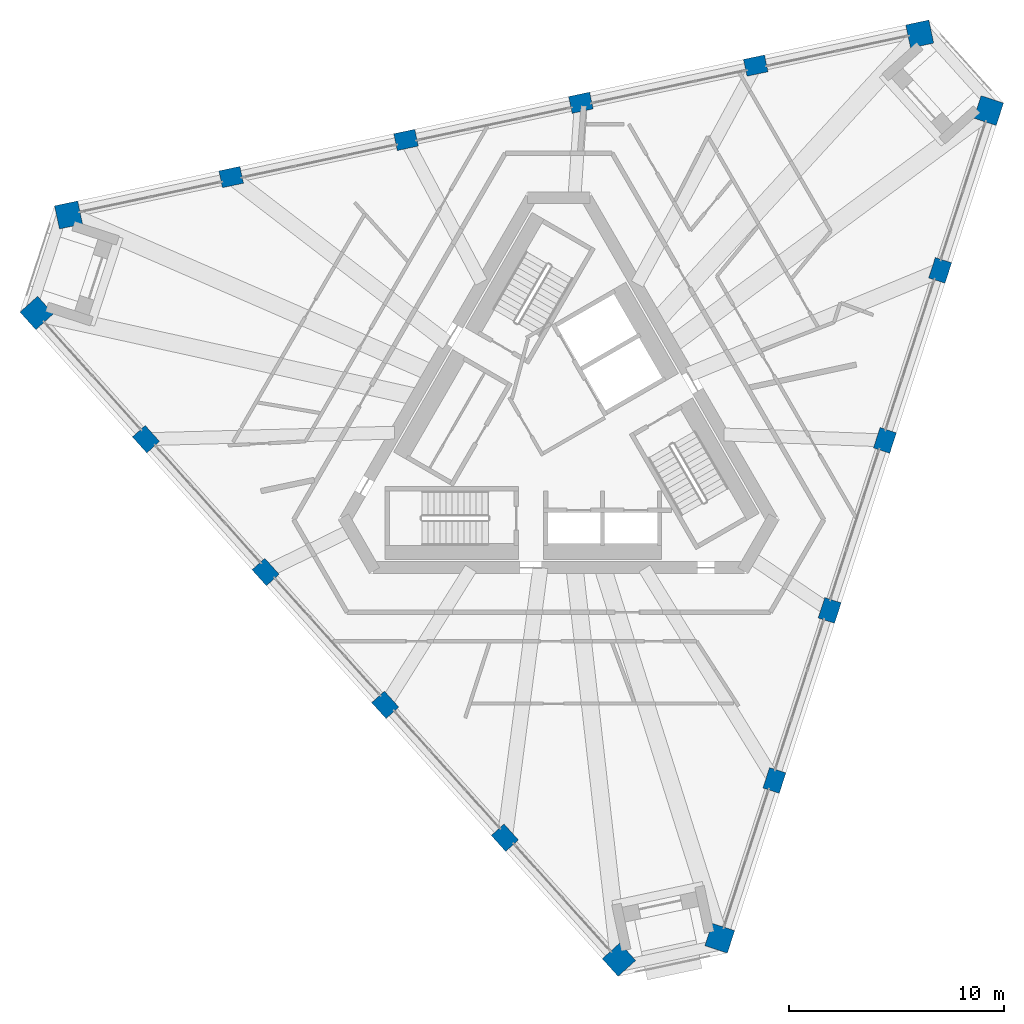
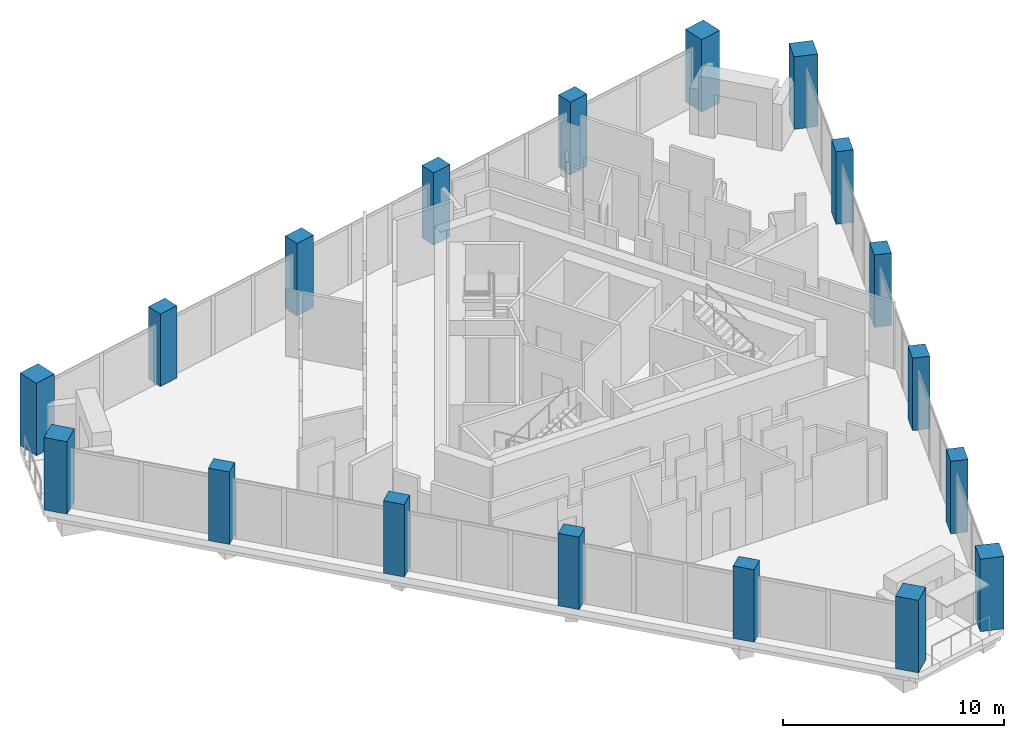
# One storey, part 1 of 17: 18 columns.
"""IFC4 building model written with IfcOpenShell, lengths in metres."""

from ifc_helpers import new_model, si_unit, direction, frame, origin, origin_2d, place, context, subcontext, project, spatial, rectangle, extrude, material, material_profile, profile_set, type_object, element, save


model = new_model("IFC4")

# Units and contexts
model_context = context("Model", 3, precision=1e-05, world=origin(), true_north=direction((0.0, 1.0)))
body_context = subcontext(model_context, "Body", "Model", "MODEL_VIEW")
ifc_project = project(units=[si_unit("LENGTHUNIT", "METRE"), si_unit("AREAUNIT", "SQUARE_METRE"), si_unit("VOLUMEUNIT", "CUBIC_METRE"), si_unit("PLANEANGLEUNIT", "RADIAN"), si_unit("MASSUNIT", "GRAM", prefix="KILO")], contexts=[model_context])

# Site, building, storey
site_placement = place(None, origin())
site = spatial("IfcSite", under=ifc_project, at=site_placement, CompositionType="ELEMENT")
building_placement = place(site_placement, origin())
building = spatial("IfcBuilding", under=site, at=building_placement, Name="Tramontana Tower", CompositionType="ELEMENT")
storey_placement = place(building_placement, frame((0.0, 0.0, 348.39990234375)))
storey = spatial("IfcBuildingStorey", under=building, at=storey_placement, Name="L80", CompositionType="ELEMENT", Elevation=348.39990234375)

# Columns
ifc_material_1 = material(Name="Concrete 55 MPa", Category="concrete")
ifc_material_profile_1 = material_profile(ifc_material_1, rectangle(XDim=1.10009765625, YDim=1.10009765625, at=origin_2d()), Name="Mega column 1100X1100 55 MPa")
ifc_profile_set_1 = profile_set([ifc_material_profile_1], Name="Concrete 55 MPa")
column_type_1 = type_object("IfcColumnType", Name="Mega column 1100X1100 55 MPa", PredefinedType="COLUMN", material=ifc_profile_set_1)
for number, where, z_axis, x_axis, name in (
    (1, (-24.278076171875, 5.368408203125, 0.0), (0.0, 0.0, 1.0), (0.669130606359, -0.743144825477, 0.0), "Mega column C8K1 L80"),
    (2, (2.80126953125, -24.706298828125, 0.0), (0.0, 0.0, 1.0), (0.669130606359, -0.743144825477, 0.0), "Mega column C8K2 L80"),
    (3, (7.489990234375, -23.70947265625, 0.0), (0.0, 0.0, 1.0), (0.309016994375, 0.951056516295, 0.0), "Mega column C8K3 L80"),
    (4, (19.99560546875, 14.779052734375, 0.0), (0.0, 0.0, 1.0), (0.309016994375, 0.951056516295, 0.0), "Mega column C8K4 L80"),
    (5, (16.7880859375, 18.34130859375, 0.0), (0.0, 0.0, 1.0), (-0.978147600734, -0.207911690818, 0.0), "Mega column C8K5 L80"),
    (6, (-22.796875, 9.92724609375, 0.0), (0.0, 0.0, 1.0), (-0.978147600734, -0.207911690818, 0.0), "Mega column C8K6 L80"),
):
    element("IfcColumn", number, at=place(storey_placement, frame(where, z_axis=z_axis, x_axis=x_axis)), inside=storey, type_object=column_type_1, Name=name, PredefinedType="COLUMN", context=body_context, shape_type="SweptSolid", body=[
        extrude(rectangle(XDim=1.10009765625, YDim=1.10009765625, at=origin_2d()), origin(), (0.0, 0.0, 1.0), 4.0),
    ])
ifc_material_2 = material(Name="Concrete 55 MPa", Category="concrete")
ifc_material_profile_2 = material_profile(ifc_material_2, rectangle(XDim=1.0, YDim=0.800048828125, at=origin_2d()), Name="Pier column 1000X800 55 MPa")
ifc_profile_set_2 = profile_set([ifc_material_profile_2], Name="Concrete 55 MPa")
column_type_2 = type_object("IfcColumnType", Name="Pier column 1000X800 55 MPa", PredefinedType="COLUMN", material=ifc_profile_set_2)
for number, where, z_axis, x_axis, name in (
    (7, (-19.194580078125, -0.501708984375, 0.0), (0.0, 0.0, 1.0), (0.669130606359, -0.743144825477, 0.0), "Pier column C8F01 L80"),
    (8, (-13.63134765625, -6.68017578125, 0.0), (0.0, 0.0, 1.0), (0.669130606359, -0.743144825477, 0.0), "Pier column C8F02 L80"),
    (9, (-8.068359375, -12.8583984375, 0.0), (0.0, 0.0, 1.0), (0.669130606359, -0.743144825477, 0.0), "Pier column C8F03 L80"),
    (10, (-2.50537109375, -19.036865234375, 0.0), (0.0, 0.0, 1.0), (0.669130606359, -0.743144825477, 0.0), "Pier column C8F04 L80"),
    (11, (10.03173828125, -16.3720703125, 0.0), (0.0, 0.0, 1.0), (0.309016994375, 0.951056516295, 0.0), "Pier column C8F05 L80"),
    (12, (12.600830078125, -8.465087890625, 0.0), (0.0, 0.0, 1.0), (0.309016994375, 0.951056516295, 0.0), "Pier column C8F06 L80"),
    (13, (15.169921875, -0.55810546875, 0.0), (0.0, 0.0, 1.0), (0.309016994375, 0.951056516295, 0.0), "Pier column C8F07 L80"),
    (14, (17.739013671875, 7.348876953125, 0.0), (0.0, 0.0, 1.0), (0.309016994375, 0.951056516295, 0.0), "Pier column C8F08 L80"),
    (15, (9.162841796875, 16.873779296875, 0.0), (0.0, 0.0, 1.0), (-0.978147600734, -0.207911690818, 0.0), "Pier column C8F09 L80"),
    (16, (1.030517578125, 15.145263671875, 0.0), (0.0, 0.0, 1.0), (-0.978147600734, -0.207911690818, 0.0), "Pier column C8F10 L80"),
    (17, (-7.1015625, 13.416748046875, 0.0), (0.0, 0.0, 1.0), (-0.978147600734, -0.207911690818, 0.0), "Pier column C8F11 L80"),
    (18, (-15.233642578125, 11.688232421875, 0.0), (0.0, 0.0, 1.0), (-0.978147600734, -0.207911690818, 0.0), "Pier column C8F12 L80"),
):
    element("IfcColumn", number, at=place(storey_placement, frame(where, z_axis=z_axis, x_axis=x_axis)), inside=storey, type_object=column_type_2, Name=name, PredefinedType="COLUMN", context=body_context, shape_type="SweptSolid", body=[
        extrude(rectangle(XDim=1.0, YDim=0.800048828125, at=origin_2d()), origin(), (0.0, 0.0, 1.0), 4.0),
    ])

save(model, "model.ifc")
